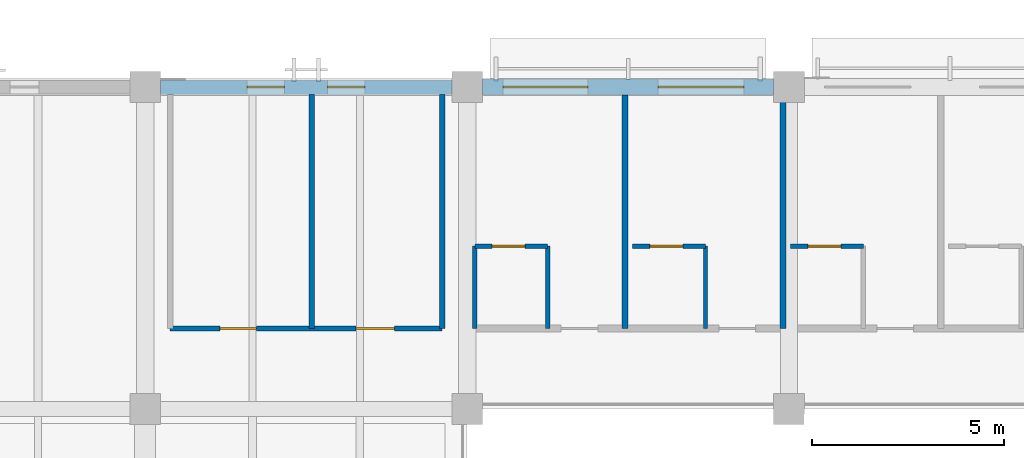
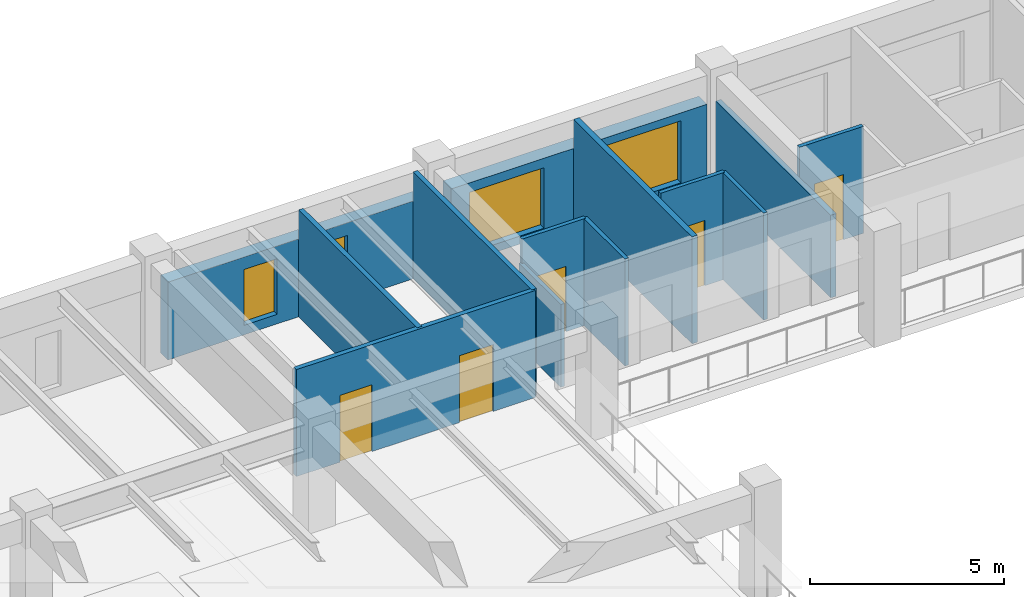
# One storey, part 78 of 118: 13 walls, 5 doors, 4 windows, 9 openings.
"""IFC4 building model written with IfcOpenShell, lengths in metres."""

import ifcopenshell
import ifcopenshell.guid

model = None  # the IFC model being written
_history = None  # IfcOwnerHistory: only IFC2X3 demands one
_inside = {}  # id of a spatial element -> (the spatial element, [elements in it])
_under = {}  # id of a project, library or spatial element -> (it, [spatial elements below it])
_declared = {}  # id of a project -> (the project, [libraries it declares])
_typed = {}  # id of a type object -> (the type object, [elements of that type])
_made_of = {}  # id of a material, layer set ... -> (it, [elements and type objects made of it])


def new_model(schema):
    """Start an empty IFC model of exactly this schema.

    Asked for "IFC4X3", IfcOpenShell would pick the latest addendum, in which some entities
    have other attributes; the version numbers below select the first issue.
    IFC2X3 requires an IfcOwnerHistory on every rooted entity: one is made here for all.
    """
    global model, _history
    if schema == "IFC4X3":
        model = ifcopenshell.file(schema_version=(4, 3, 0, 0))
    else:
        model = ifcopenshell.file(schema=schema)
    _inside.clear()
    _under.clear()
    _declared.clear()
    _typed.clear()
    _made_of.clear()
    _history = None
    if model.schema == "IFC2X3":
        org = make("IfcOrganization", Name="unknown")
        user = make(
            "IfcPersonAndOrganization",
            ThePerson=make("IfcPerson", FamilyName="unknown"),
            TheOrganization=org,
        )
        app = make(
            "IfcApplication",
            ApplicationDeveloper=org,
            Version="unknown",
            ApplicationFullName="unknown",
            ApplicationIdentifier="unknown",
        )
        _history = make(
            "IfcOwnerHistory",
            OwningUser=user,
            OwningApplication=app,
            ChangeAction="ADDED",
            CreationDate=0,
        )
    return model


def make(cls, **values):
    """One entity of the class cls with the attributes given. An attribute that is None is left unset."""
    return model.create_entity(
        cls, **{name: value for name, value in values.items() if value is not None}
    )


def rooted(cls, **values):
    """An entity with a GlobalId (a new one), such as an element, a storey or a relation."""
    return make(cls, GlobalId=ifcopenshell.guid.new(), OwnerHistory=_history, **values)


def si_unit(unit_type, name, prefix=None):
    """IfcSIUnit, for example si_unit("LENGTHUNIT", "METRE", prefix="MILLI")."""
    return make("IfcSIUnit", UnitType=unit_type, Prefix=prefix, Name=name)


def assignment(units):
    """IfcUnitAssignment: the units of a project."""
    return None if units is None else make("IfcUnitAssignment", Units=units)


def point(xyz):
    """IfcCartesianPoint."""
    return None if xyz is None else make("IfcCartesianPoint", Coordinates=xyz)


def direction(xyz):
    """IfcDirection."""
    return None if xyz is None else make("IfcDirection", DirectionRatios=xyz)


def frame(location, z_axis=None, x_axis=None):
    """IfcAxis2Placement3D, a coordinate frame: its origin and axes. An axis left out is left unset."""
    return make(
        "IfcAxis2Placement3D",
        Location=point(location),
        Axis=direction(z_axis),
        RefDirection=direction(x_axis),
    )


def frame_2d(location, x_axis=None):
    """IfcAxis2Placement2D, a coordinate frame in the plane: its origin and x axis."""
    return make(
        "IfcAxis2Placement2D", Location=point(location), RefDirection=direction(x_axis)
    )


def origin():
    """The frame at (0, 0, 0) with its axes left unset."""
    return frame((0.0, 0.0, 0.0))


def place(relative_to, where):
    """IfcLocalPlacement: puts the frame where relative to a parent placement (None: the world)."""
    return make(
        "IfcLocalPlacement", PlacementRelTo=relative_to, RelativePlacement=where
    )


def context(
    kind, dimensions, precision=None, world=None, true_north=None, identifier=None
):
    """IfcGeometricRepresentationContext, for example the 3D "Model" context."""
    return make(
        "IfcGeometricRepresentationContext",
        ContextIdentifier=identifier,
        ContextType=kind,
        CoordinateSpaceDimension=dimensions,
        Precision=precision,
        WorldCoordinateSystem=world,
        TrueNorth=true_north,
    )


def subcontext(parent, identifier, kind, view, scale=None):
    """IfcGeometricRepresentationSubContext, for example "Body" below "Model"."""
    return make(
        "IfcGeometricRepresentationSubContext",
        ContextIdentifier=identifier,
        ContextType=kind,
        ParentContext=parent,
        TargetScale=scale,
        TargetView=view,
    )


def project(units=None, contexts=None):
    """IfcProject with its units and contexts."""
    return rooted(
        "IfcProject",
        Name="project",
        RepresentationContexts=contexts,
        UnitsInContext=assignment(units),
    )


def spatial(cls, under=None, at=None, **own):
    """A site, building, storey or space (cls), placed at a placement, below another one or the project."""
    s = rooted(cls, ObjectPlacement=at, **own)
    if under is not None:
        _under.setdefault(under.id(), (under, []))[1].append(s)
    return s


def profile(cls, at=None, kind="AREA", **sizes):
    """A parametric profile (cls). Its sizes go by their IFC names, for example OverallWidth=200.0."""
    return make(cls, ProfileType=kind, Position=at, **sizes)


def rectangle(**sizes):
    """IfcRectangleProfileDef."""
    return profile("IfcRectangleProfileDef", **sizes)


def extrude(swept, where, along, depth):
    """IfcExtrudedAreaSolid: the profile swept, set in the frame where, extruded along a direction by depth."""
    return make(
        "IfcExtrudedAreaSolid",
        SweptArea=swept,
        Position=where,
        ExtrudedDirection=direction(along),
        Depth=depth,
    )


def shape(context_of_items, identifier, shape_type, items):
    """IfcShapeRepresentation: the items that make up one representation, for example the "Body"."""
    return make(
        "IfcShapeRepresentation",
        ContextOfItems=context_of_items,
        RepresentationIdentifier=identifier,
        RepresentationType=shape_type,
        Items=items,
    )


def material(Name=None, Category=None):
    """IfcMaterial."""
    return make("IfcMaterial", Name=Name, Category=Category)


def layer(
    of_material, thickness, ventilated=None, Name=None, Category=None, Priority=None
):
    """IfcMaterialLayer: one layer of a wall or slab, of a material (None: an air gap)."""
    return make(
        "IfcMaterialLayer",
        Material=of_material,
        LayerThickness=thickness,
        IsVentilated=ventilated,
        Name=Name,
        Category=Category,
        Priority=Priority,
    )


def layer_set(layers, Name=None):
    """IfcMaterialLayerSet."""
    return make("IfcMaterialLayerSet", MaterialLayers=layers, LayerSetName=Name)


def made_of(thing, what):
    """Note that an element or type object is made of a material, layer set ...; save() writes the relation."""
    if what is not None:
        _made_of.setdefault(what.id(), (what, []))[1].append(thing)
    return thing


def type_object(cls, material=None, **own):
    """A type object (cls), such as IfcWallType, which elements share."""
    return made_of(rooted(cls, **own), material)


def element(
    cls,
    number,
    at=None,
    inside=None,
    cuts=None,
    type_object=None,
    material=None,
    context=None,
    identifier="Body",
    shape_type=None,
    held_by="IfcProductDefinitionShape",
    body=None,
    shapes=None,
    **own,
):
    """One element of the class cls, such as IfcWall. Its Tag is "e" and its number.

    at: its placement. inside: the storey or other place that contains it. cuts: it is an
    opening in that element (IfcRelVoidsElement). A single representation is given by context,
    identifier, shape_type and body (its items); several are given by shapes. held_by: the class
    of the entity that holds the representations. save() writes the other relations.
    """
    e = rooted(cls, Tag="e%d" % number, ObjectPlacement=at, **own)
    if body is not None:
        shapes = [shape(context, identifier, shape_type, body)]
    if shapes is not None:
        e.Representation = make(held_by, Representations=shapes)
    if inside is not None:
        _inside.setdefault(inside.id(), (inside, []))[1].append(e)
    if cuts is not None:
        rooted(
            "IfcRelVoidsElement", RelatingBuildingElement=cuts, RelatedOpeningElement=e
        )
    if type_object is not None:
        _typed.setdefault(type_object.id(), (type_object, []))[1].append(e)
    return made_of(e, material)


def fill(opening, filler):
    """IfcRelFillsElement: the door or window that sits in an opening."""
    return rooted(
        "IfcRelFillsElement",
        RelatingOpeningElement=opening,
        RelatedBuildingElement=filler,
    )


def aggregate(whole, parts):
    """IfcRelAggregates: a whole, such as a stair, and the parts it consists of."""
    return rooted("IfcRelAggregates", RelatingObject=whole, RelatedObjects=parts)


def save(model, path):
    """Write the relations noted so far, then the file.

    IfcRelAggregates (storeys below a building ...), IfcRelContainedInSpatialStructure (elements
    in a storey), IfcRelDefinesByType, IfcRelAssociatesMaterial and IfcRelDeclares: one each for
    every whole, place, type object, material and project.
    """
    for whole, parts in _under.values():
        aggregate(whole, parts)
    for where, things in _inside.values():
        rooted(
            "IfcRelContainedInSpatialStructure",
            RelatedElements=things,
            RelatingStructure=where,
        )
    for kind, things in _typed.values():
        rooted("IfcRelDefinesByType", RelatedObjects=things, RelatingType=kind)
    for what, things in _made_of.values():
        rooted("IfcRelAssociatesMaterial", RelatedObjects=things, RelatingMaterial=what)
    for by, libraries in _declared.values():
        rooted("IfcRelDeclares", RelatingContext=by, RelatedDefinitions=libraries)
    model.write(path)


model = new_model("IFC4")

# Units and contexts
model_context = context("Model", 3, precision=1e-05, world=origin(), true_north=direction((0.0, 1.0)))
body_context = subcontext(model_context, "Body", "Model", "MODEL_VIEW")
ifc_project = project(units=[si_unit("LENGTHUNIT", "METRE"), si_unit("AREAUNIT", "SQUARE_METRE"), si_unit("VOLUMEUNIT", "CUBIC_METRE"), si_unit("PLANEANGLEUNIT", "RADIAN"), si_unit("MASSUNIT", "GRAM", prefix="KILO")], contexts=[model_context])

# Site, building, storey
site_placement = place(None, origin())
site = spatial("IfcSite", under=ifc_project, at=site_placement, CompositionType="ELEMENT")
building_placement = place(site_placement, origin())
building = spatial("IfcBuilding", under=site, at=building_placement, Name="Cumbredor Promenade Congress Hotel", CompositionType="ELEMENT")
storey_placement = place(building_placement, frame((0.0, 0.0, 3.919921875)))
storey = spatial("IfcBuildingStorey", under=building, at=storey_placement, Name="L01", CompositionType="ELEMENT", Elevation=3.919921875)

# Wall, opening, door
ifc_material_1 = material(Name="Moisture-resistant gypsum board on steel studs", Category="steel")
ifc_layer_1 = layer(ifc_material_1, 0.114990234375, Name="Moisture-resistant gypsum board on steel studs", Category="steel")
ifc_layer_set_1 = layer_set([ifc_layer_1], Name="Moisture-resistant gypsum board on steel studs")
wall_type_1 = type_object("IfcWallType", Name="WL-BATH-115", PredefinedType="PARTITIONING", material=ifc_layer_set_1)
wall_1_placement = place(storey_placement, frame((117.800048828125, 113.449951171875, 0.0), z_axis=(0.0, 0.0, 1.0), x_axis=(1.0, 0.0, 0.0)))
wall_1 = element("IfcWall", 1, at=wall_1_placement, inside=storey, type_object=wall_type_1, Name="L01 Interior Partition W-L01-FBH-F0101", PredefinedType="PARTITIONING", context=body_context, shape_type="SweptSolid", body=[
    extrude(rectangle(XDim=1.89990234375, YDim=0.114990234375, at=frame_2d((0.949951171875, 0.0))), origin(), (0.0, 0.0, 1.0), 3.360107421875),
])
opening_1_placement = place(wall_1_placement, frame((0.449951171875, 0.0, 0.0)))
opening_1 = element("IfcOpeningElement", 2, at=opening_1_placement, cuts=wall_1, Name="Opening ID-01", PredefinedType="OPENING", context=body_context, shape_type="SweptSolid", body=[
    extrude(rectangle(XDim=0.860107421875, YDim=2.050048828125, at=frame_2d((0.43017578125, 1.02490234375))), frame((0.0, 0.0673828125, 0.0), z_axis=(0.0, -1.0, 0.0), x_axis=(1.0, 0.0, 0.0)), (0.0, 0.0, 1.0), 0.135009765625),
])
ifc_material_2 = material(Name="Kiln-dried tropical hardwood", Category="wood")
door_type_1 = type_object("IfcDoorType", Name="DR-BATH-860", OperationType="NOTDEFINED", PredefinedType="DOOR", material=ifc_material_2)
door_1_placement = place(opening_1_placement, origin())
door_1 = element("IfcDoor", 3, at=door_1_placement, inside=storey, type_object=door_type_1, Name="L01 Interior Door W-L01-FBH-F0101-01", OperationType="SINGLE_SWING_LEFT", OverallHeight=2.050048828125, OverallWidth=0.860107421875, PredefinedType="DOOR", context=body_context, shape_type="SweptSolid", body=[
    extrude(rectangle(XDim=0.860107421875, YDim=2.050048828125, at=frame_2d((0.43017578125, 1.02490234375))), frame((0.0, 0.02490234375, 0.0), z_axis=(0.0, -1.0, 0.0), x_axis=(1.0, 0.0, 0.0)), (0.0, 0.0, 1.0), 0.050048828125),
])
fill(opening_1, door_1)

# Walls
wall_2_placement = place(storey_placement, frame((119.699951171875, 111.300048828125, 0.0), z_axis=(0.0, 0.0, 1.0), x_axis=(0.0, 1.0, 0.0)))
element("IfcWall", 4, at=wall_2_placement, inside=storey, type_object=wall_type_1, Name="L01 Interior Partition W-L01-FBV-F0101", PredefinedType="PARTITIONING", context=body_context, shape_type="SweptSolid", body=[
    extrude(rectangle(XDim=2.14990234375, YDim=0.114990234375, at=frame_2d((1.074951171875, 0.0))), origin(), (0.0, 0.0, 1.0), 3.360107421875),
])
wall_3_placement = place(storey_placement, frame((117.800048828125, 111.300048828125, 0.0), z_axis=(0.0, 0.0, 1.0), x_axis=(0.0, 1.0, 0.0)))
element("IfcWall", 5, at=wall_3_placement, inside=storey, type_object=wall_type_1, Name="L01 Interior Partition W-L01-FBV0-F0101", PredefinedType="PARTITIONING", context=body_context, shape_type="SweptSolid", body=[
    extrude(rectangle(XDim=2.14990234375, YDim=0.114990234375, at=frame_2d((1.074951171875, 0.0))), origin(), (0.0, 0.0, 1.0), 2.594970703125),
])

# Wall, opening, door
wall_4_placement = place(storey_placement, frame((121.919921875, 113.449951171875, 0.0), z_axis=(0.0, 0.0, 1.0), x_axis=(1.0, 0.0, 0.0)))
wall_4 = element("IfcWall", 6, at=wall_4_placement, inside=storey, type_object=wall_type_1, Name="L01 Interior Partition W-L01-FBH-F0102", PredefinedType="PARTITIONING", context=body_context, shape_type="SweptSolid", body=[
    extrude(rectangle(XDim=1.900146484375, YDim=0.114990234375, at=frame_2d((0.9501953125, 0.0))), origin(), (0.0, 0.0, 1.0), 3.360107421875),
])
opening_2_placement = place(wall_4_placement, frame((0.449951171875, 0.0, 0.0)))
opening_2 = element("IfcOpeningElement", 7, at=opening_2_placement, cuts=wall_4, Name="Opening ID-01", PredefinedType="OPENING", context=body_context, shape_type="SweptSolid", body=[
    extrude(rectangle(XDim=0.860107421875, YDim=2.050048828125, at=frame_2d((0.43017578125, 1.02490234375))), frame((0.0, 0.0673828125, 0.0), z_axis=(0.0, -1.0, 0.0), x_axis=(1.0, 0.0, 0.0)), (0.0, 0.0, 1.0), 0.135009765625),
])
door_2_placement = place(opening_2_placement, origin())
door_2 = element("IfcDoor", 8, at=door_2_placement, inside=storey, type_object=door_type_1, Name="L01 Interior Door W-L01-FBH-F0102-01", OperationType="SINGLE_SWING_RIGHT", OverallHeight=2.050048828125, OverallWidth=0.860107421875, PredefinedType="DOOR", context=body_context, shape_type="SweptSolid", body=[
    extrude(rectangle(XDim=0.860107421875, YDim=2.050048828125, at=frame_2d((0.43017578125, 1.02490234375))), frame((0.0, 0.02490234375, 0.0), z_axis=(0.0, -1.0, 0.0), x_axis=(1.0, 0.0, 0.0)), (0.0, 0.0, 1.0), 0.050048828125),
])
fill(opening_2, door_2)

# Wall
wall_5_placement = place(storey_placement, frame((123.820068359375, 111.300048828125, 0.0), z_axis=(0.0, 0.0, 1.0), x_axis=(0.0, 1.0, 0.0)))
element("IfcWall", 9, at=wall_5_placement, inside=storey, type_object=wall_type_1, Name="L01 Interior Partition W-L01-FBV-F0102", PredefinedType="PARTITIONING", context=body_context, shape_type="SweptSolid", body=[
    extrude(rectangle(XDim=2.14990234375, YDim=0.114990234375, at=frame_2d((1.074951171875, 0.0))), origin(), (0.0, 0.0, 1.0), 3.360107421875),
])

# Wall, opening, door
wall_6_placement = place(storey_placement, frame((126.0400390625, 113.449951171875, 0.0), z_axis=(0.0, 0.0, 1.0), x_axis=(1.0, 0.0, 0.0)))
wall_6 = element("IfcWall", 10, at=wall_6_placement, inside=storey, type_object=wall_type_1, Name="L01 Interior Partition W-L01-FBH-F0103", PredefinedType="PARTITIONING", context=body_context, shape_type="SweptSolid", body=[
    extrude(rectangle(XDim=1.89990234375, YDim=0.114990234375, at=frame_2d((0.949951171875, 0.0))), origin(), (0.0, 0.0, 1.0), 3.360107421875),
])
opening_3_placement = place(wall_6_placement, frame((0.449951171875, 0.0, 0.0)))
opening_3 = element("IfcOpeningElement", 11, at=opening_3_placement, cuts=wall_6, Name="Opening ID-01", PredefinedType="OPENING", context=body_context, shape_type="SweptSolid", body=[
    extrude(rectangle(XDim=0.860107421875, YDim=2.050048828125, at=frame_2d((0.43017578125, 1.02490234375))), frame((0.0, 0.0673828125, 0.0), z_axis=(0.0, -1.0, 0.0), x_axis=(1.0, 0.0, 0.0)), (0.0, 0.0, 1.0), 0.135009765625),
])
door_3_placement = place(opening_3_placement, origin())
door_3 = element("IfcDoor", 12, at=door_3_placement, inside=storey, type_object=door_type_1, Name="L01 Interior Door W-L01-FBH-F0103-01", OperationType="SINGLE_SWING_LEFT", OverallHeight=2.050048828125, OverallWidth=0.860107421875, PredefinedType="DOOR", context=body_context, shape_type="SweptSolid", body=[
    extrude(rectangle(XDim=0.860107421875, YDim=2.050048828125, at=frame_2d((0.43017578125, 1.02490234375))), frame((0.0, 0.02490234375, 0.0), z_axis=(0.0, -1.0, 0.0), x_axis=(1.0, 0.0, 0.0)), (0.0, 0.0, 1.0), 0.050048828125),
])
fill(opening_3, door_3)

# Wall, openings, windows
ifc_material_3 = material(Name="Concrete C40/50", Category="concrete")
ifc_layer_2 = layer(ifc_material_3, 0.3798828125, Name="Concrete C40/50", Category="concrete")
ifc_layer_set_2 = layer_set([ifc_layer_2], Name="Concrete C40/50")
wall_type_2 = type_object("IfcWallType", Name="WL-EXT-380", PredefinedType="SOLIDWALL", material=ifc_layer_set_2)
wall_7_placement = place(storey_placement, frame((109.60107421875, 117.60009765625, 0.0), z_axis=(0.0, 0.0, 1.0), x_axis=(1.0, 0.0, 0.0)))
wall_7 = element("IfcWall", 13, at=wall_7_placement, inside=storey, type_object=wall_type_2, Name="L01 Pre-Function and Breakout Meeting Forum North Envelope Wall 3", PredefinedType="SOLIDWALL", context=body_context, shape_type="SweptSolid", body=[
    extrude(rectangle(XDim=7.597900390625, YDim=0.3798828125, at=frame_2d((3.798828125, 0.0))), origin(), (0.0, 0.0, 1.0), 2.445068359375),
])
opening_4_placement = place(wall_7_placement, frame((2.259033203125, 0.0, 0.300048828125)))
opening_4 = element("IfcOpeningElement", 14, at=opening_4_placement, cuts=wall_7, Name="Opening WN-64", PredefinedType="OPENING", context=body_context, shape_type="SweptSolid", body=[
    extrude(rectangle(XDim=0.97998046875, YDim=1.75, at=frame_2d((0.489990234375, 0.875))), frame((0.0, 0.199951171875, 0.0), z_axis=(0.0, -1.0, 0.0), x_axis=(1.0, 0.0, 0.0)), (0.0, 0.0, 1.0), 0.39990234375),
])
opening_5_placement = place(wall_7_placement, frame((4.35888671875, 0.0, 0.300048828125)))
opening_5 = element("IfcOpeningElement", 15, at=opening_5_placement, cuts=wall_7, Name="Opening WN-64", PredefinedType="OPENING", context=body_context, shape_type="SweptSolid", body=[
    extrude(rectangle(XDim=0.97998046875, YDim=1.75, at=frame_2d((0.489990234375, 0.875))), frame((0.0, 0.199951171875, 0.0), z_axis=(0.0, -1.0, 0.0), x_axis=(1.0, 0.0, 0.0)), (0.0, 0.0, 1.0), 0.39990234375),
])
ifc_material_4 = material(Name="Thermally broken anodized aluminium and low-E glass", Category="aluminium")
window_type_1 = type_object("IfcWindowType", Name="Vertical Slot Window WN-64 980x1750", PartitioningType="SINGLE_PANEL", PredefinedType="WINDOW", material=ifc_material_4)
window_1_placement = place(opening_4_placement, origin())
window_1 = element("IfcWindow", 16, at=window_1_placement, inside=storey, type_object=window_type_1, Name="L01 Vertical Slot Window 0161", OverallHeight=1.75, OverallWidth=0.97998046875, PartitioningType="SINGLE_PANEL", PredefinedType="WINDOW", context=body_context, shape_type="SweptSolid", body=[
    extrude(rectangle(XDim=0.97998046875, YDim=1.75, at=frame_2d((0.489990234375, 0.875))), frame((0.0, 0.030029296875, 0.0), z_axis=(0.0, -1.0, 0.0), x_axis=(1.0, 0.0, 0.0)), (0.0, 0.0, 1.0), 0.06005859375),
])
fill(opening_4, window_1)
window_2_placement = place(opening_5_placement, origin())
window_2 = element("IfcWindow", 17, at=window_2_placement, inside=storey, type_object=window_type_1, Name="L01 Vertical Slot Window 0162", OverallHeight=1.75, OverallWidth=0.97998046875, PartitioningType="SINGLE_PANEL", PredefinedType="WINDOW", context=body_context, shape_type="SweptSolid", body=[
    extrude(rectangle(XDim=0.97998046875, YDim=1.75, at=frame_2d((0.489990234375, 0.875))), frame((0.0, 0.030029296875, 0.0), z_axis=(0.0, -1.0, 0.0), x_axis=(1.0, 0.0, 0.0)), (0.0, 0.0, 1.0), 0.06005859375),
])
fill(opening_5, window_2)

ifc_layer_3 = layer(ifc_material_3, 0.425048828125, Name="Concrete C40/50", Category="concrete")
ifc_layer_set_3 = layer_set([ifc_layer_3], Name="Concrete C40/50")
wall_type_3 = type_object("IfcWallType", Name="WL-EXT-425", PredefinedType="SOLIDWALL", material=ifc_layer_set_3)
wall_8_placement = place(storey_placement, frame((118.0009765625, 117.60009765625, 0.0), z_axis=(0.0, 0.0, 1.0), x_axis=(1.0, 0.0, 0.0)))
wall_8 = element("IfcWall", 18, at=wall_8_placement, inside=storey, type_object=wall_type_3, Name="L01 Pre-Function and Breakout Meeting Forum North Envelope Wall 4", PredefinedType="SOLIDWALL", context=body_context, shape_type="SweptSolid", body=[
    extrude(rectangle(XDim=7.59814453125, YDim=0.425048828125, at=frame_2d((3.799072265625, 0.0))), origin(), (0.0, 0.0, 1.0), 2.445068359375),
])
opening_6_placement = place(wall_8_placement, frame((0.5390625, 0.0, 0.25)))
opening_6 = element("IfcOpeningElement", 19, at=opening_6_placement, cuts=wall_8, Name="Opening WN-35", PredefinedType="OPENING", context=body_context, shape_type="SweptSolid", body=[
    extrude(rectangle(XDim=2.219970703125, YDim=1.89990234375, at=frame_2d((1.10986328125, 0.949951171875))), frame((0.0, 0.22265625, 0.0), z_axis=(0.0, -1.0, 0.0), x_axis=(1.0, 0.0, 0.0)), (0.0, 0.0, 1.0), 0.445068359375),
])
opening_7_placement = place(wall_8_placement, frame((4.573974609375, 0.0, 0.25)))
opening_7 = element("IfcOpeningElement", 20, at=opening_7_placement, cuts=wall_8, Name="Opening WN-07", PredefinedType="OPENING", context=body_context, shape_type="SweptSolid", body=[
    extrude(rectangle(XDim=2.25, YDim=1.949951171875, at=frame_2d((1.125, 0.97509765625))), frame((0.0, 0.22265625, 0.0), z_axis=(0.0, -1.0, 0.0), x_axis=(1.0, 0.0, 0.0)), (0.0, 0.0, 1.0), 0.445068359375),
])
window_type_2 = type_object("IfcWindowType", Name="Hospitality Floor-to-Ceiling Window WN-07 2250x1950", PartitioningType="DOUBLE_PANEL_VERTICAL", PredefinedType="WINDOW", material=ifc_material_4)
window_3_placement = place(opening_7_placement, origin())
window_3 = element("IfcWindow", 21, at=window_3_placement, inside=storey, type_object=window_type_2, Name="L01 Wide Hospitality Window 0164", OverallHeight=1.949951171875, OverallWidth=2.25, PartitioningType="DOUBLE_PANEL_VERTICAL", PredefinedType="WINDOW", context=body_context, shape_type="SweptSolid", body=[
    extrude(rectangle(XDim=2.25, YDim=1.949951171875, at=frame_2d((1.125, 0.97509765625))), frame((0.0, 0.030029296875, 0.0), z_axis=(0.0, -1.0, 0.0), x_axis=(1.0, 0.0, 0.0)), (0.0, 0.0, 1.0), 0.06005859375),
])
fill(opening_7, window_3)
window_type_3 = type_object("IfcWindowType", Name="Hospitality Floor-to-Ceiling Window WN-35 2220x1900", PartitioningType="DOUBLE_PANEL_VERTICAL", PredefinedType="WINDOW", material=ifc_material_4)
window_4_placement = place(opening_6_placement, origin())
window_4 = element("IfcWindow", 22, at=window_4_placement, inside=storey, type_object=window_type_3, Name="L01 Wide Hospitality Window 0163", OverallHeight=1.89990234375, OverallWidth=2.219970703125, PartitioningType="DOUBLE_PANEL_VERTICAL", PredefinedType="WINDOW", context=body_context, shape_type="SweptSolid", body=[
    extrude(rectangle(XDim=2.219970703125, YDim=1.89990234375, at=frame_2d((1.10986328125, 0.949951171875))), frame((0.0, 0.030029296875, 0.0), z_axis=(0.0, -1.0, 0.0), x_axis=(1.0, 0.0, 0.0)), (0.0, 0.0, 1.0), 0.06005859375),
])
fill(opening_6, window_4)

# Wall, openings, doors
ifc_material_5 = material(Name="Acoustic gypsum partition on steel studs", Category="steel")
ifc_layer_4 = layer(ifc_material_5, 0.139892578125, Name="Acoustic gypsum partition on steel studs", Category="steel")
ifc_layer_set_4 = layer_set([ifc_layer_4], Name="Acoustic gypsum partition on steel studs")
wall_type_4 = type_object("IfcWallType", Name="WL-PART-140", PredefinedType="PARTITIONING", material=ifc_layer_set_4)
wall_9_placement = place(storey_placement, frame((109.85009765625, 111.300048828125, 0.0), z_axis=(0.0, 0.0, 1.0), x_axis=(1.0, 0.0, 0.0)))
wall_9 = element("IfcWall", 23, at=wall_9_placement, inside=storey, type_object=wall_type_4, Name="L01 Interior Partition W-L01-V4-WC", PredefinedType="PARTITIONING", context=body_context, shape_type="SweptSolid", body=[
    extrude(rectangle(XDim=7.099853515625, YDim=0.139892578125, at=frame_2d((3.5498046875, 0.0))), origin(), (0.0, 0.0, 1.0), 3.360107421875),
])
opening_8_placement = place(wall_9_placement, frame((1.300048828125, 0.0, 0.0)))
opening_8 = element("IfcOpeningElement", 24, at=opening_8_placement, cuts=wall_9, Name="Opening ID-02", PredefinedType="OPENING", context=body_context, shape_type="SweptSolid", body=[
    extrude(rectangle(XDim=0.949951171875, YDim=2.10009765625, at=frame_2d((0.47509765625, 1.050048828125))), frame((0.0, 0.080078125, 0.0), z_axis=(0.0, -1.0, 0.0), x_axis=(1.0, 0.0, 0.0)), (0.0, 0.0, 1.0), 0.159912109375),
])
opening_9_placement = place(wall_9_placement, frame((4.85009765625, 0.0, 0.0)))
opening_9 = element("IfcOpeningElement", 25, at=opening_9_placement, cuts=wall_9, Name="Opening ID-03", PredefinedType="OPENING", context=body_context, shape_type="SweptSolid", body=[
    extrude(rectangle(XDim=1.0, YDim=2.10009765625, at=frame_2d((0.5, 1.050048828125))), frame((0.0, 0.080078125, 0.0), z_axis=(0.0, -1.0, 0.0), x_axis=(1.0, 0.0, 0.0)), (0.0, 0.0, 1.0), 0.159912109375),
])
door_type_2 = type_object("IfcDoorType", Name="DR-ACC-1000", OperationType="NOTDEFINED", PredefinedType="DOOR", material=ifc_material_2)
door_4_placement = place(opening_9_placement, origin())
door_4 = element("IfcDoor", 26, at=door_4_placement, inside=storey, type_object=door_type_2, Name="L01 Interior Door W-L01-V4-WC-02", OperationType="SINGLE_SWING_RIGHT", OverallHeight=2.10009765625, OverallWidth=1.0, PredefinedType="DOOR", context=body_context, shape_type="SweptSolid", body=[
    extrude(rectangle(XDim=1.0, YDim=2.10009765625, at=frame_2d((0.5, 1.050048828125))), frame((0.0, 0.02490234375, 0.0), z_axis=(0.0, -1.0, 0.0), x_axis=(1.0, 0.0, 0.0)), (0.0, 0.0, 1.0), 0.050048828125),
])
fill(opening_9, door_4)
door_type_3 = type_object("IfcDoorType", Name="DR-INT-950", OperationType="NOTDEFINED", PredefinedType="DOOR", material=ifc_material_2)
door_5_placement = place(opening_8_placement, origin())
door_5 = element("IfcDoor", 27, at=door_5_placement, inside=storey, type_object=door_type_3, Name="L01 Interior Door W-L01-V4-WC-01", OperationType="SINGLE_SWING_LEFT", OverallHeight=2.10009765625, OverallWidth=0.949951171875, PredefinedType="DOOR", context=body_context, shape_type="SweptSolid", body=[
    extrude(rectangle(XDim=0.949951171875, YDim=2.10009765625, at=frame_2d((0.47509765625, 1.050048828125))), frame((0.0, 0.02490234375, 0.0), z_axis=(0.0, -1.0, 0.0), x_axis=(1.0, 0.0, 0.0)), (0.0, 0.0, 1.0), 0.050048828125),
])
fill(opening_8, door_5)

# Walls
for number, where, z_axis, x_axis, name in (
    (28, (113.550048828125, 111.300048828125, 0.0), (0.0, 0.0, 1.0), (0.0, 1.0, 0.0), "L01 Interior Partition W-L01-V4-WC-M"),
    (29, (116.949951171875, 111.300048828125, 0.0), (0.0, 0.0, 1.0), (0.0, 1.0, 0.0), "L01 Interior Partition W-L01-V4-WC-E"),
):
    element("IfcWall", number, at=place(storey_placement, frame(where, z_axis=z_axis, x_axis=x_axis)), inside=storey, type_object=wall_type_4, Name=name, PredefinedType="PARTITIONING", context=body_context, shape_type="SweptSolid", body=[
        extrude(rectangle(XDim=6.10986328125, YDim=0.139892578125, at=frame_2d((3.054931640625, 0.0))), origin(), (0.0, 0.0, 1.0), 3.360107421875),
    ])
ifc_material_6 = material(Name="Fire-rated acoustic double-stud partition")
ifc_layer_5 = layer(ifc_material_6, 0.1650390625, Name="Fire-rated acoustic double-stud partition")
ifc_layer_set_5 = layer_set([ifc_layer_5], Name="Fire-rated acoustic double-stud partition")
wall_type_5 = type_object("IfcWallType", Name="WL-UNIT-165", PredefinedType="PARTITIONING", material=ifc_layer_set_5)
wall_10_placement = place(storey_placement, frame((121.719970703125, 111.300048828125, 0.0), z_axis=(0.0, 0.0, 1.0), x_axis=(0.0, 1.0, 0.0)))
element("IfcWall", 30, at=wall_10_placement, inside=storey, type_object=wall_type_5, Name="L01 Interior Partition W-L01-FDIV-1", PredefinedType="PARTITIONING", context=body_context, shape_type="SweptSolid", body=[
    extrude(rectangle(XDim=6.08740234375, YDim=0.1650390625, at=frame_2d((3.043701171875, 0.0))), origin(), (0.0, 0.0, 1.0), 3.360107421875),
])
wall_11_placement = place(storey_placement, frame((125.840087890625, 111.300048828125, 0.0), z_axis=(0.0, 0.0, 1.0), x_axis=(0.0, 1.0, 0.0)))
element("IfcWall", 31, at=wall_11_placement, inside=storey, type_object=wall_type_5, Name="L01 Interior Partition W-L01-FDIV-2", PredefinedType="PARTITIONING", context=body_context, shape_type="SweptSolid", body=[
    extrude(rectangle(XDim=5.919921875, YDim=0.1650390625, at=frame_2d((2.9599609375, 0.0))), origin(), (0.0, 0.0, 1.0), 2.594970703125),
])

save(model, "model.ifc")
